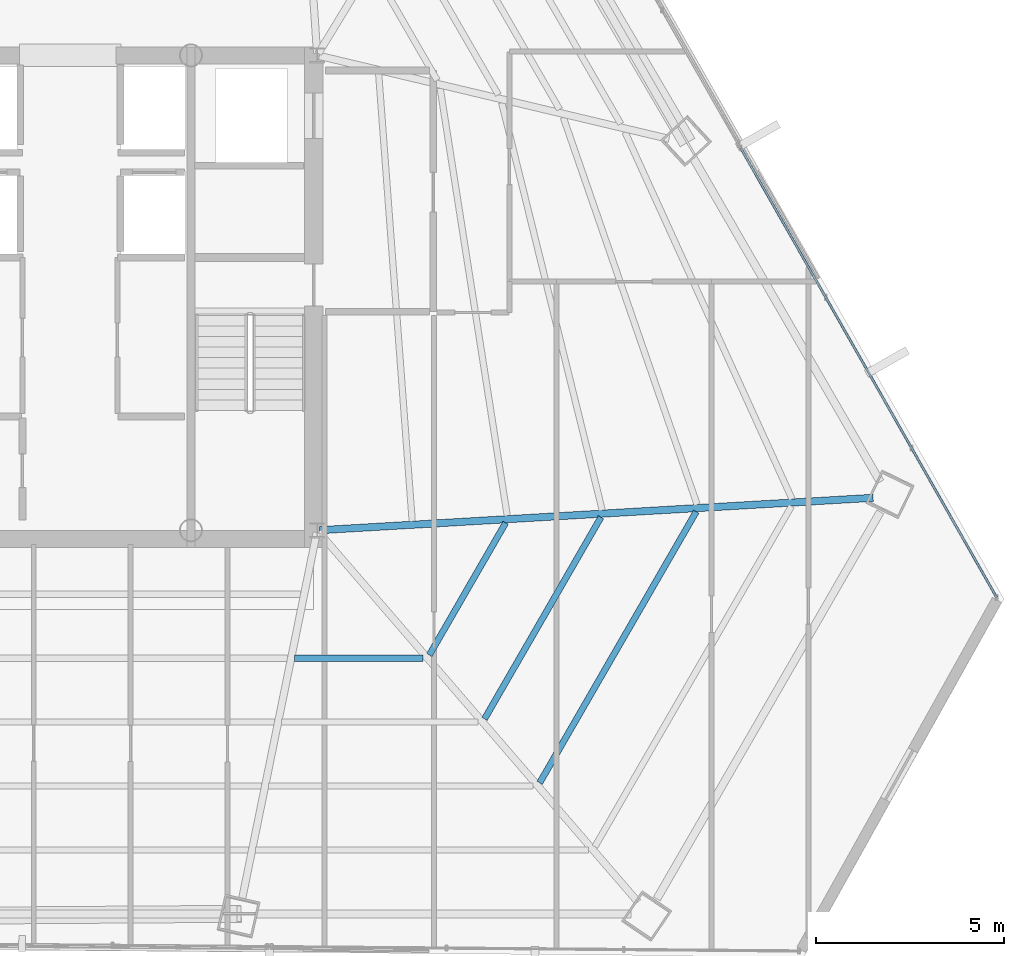
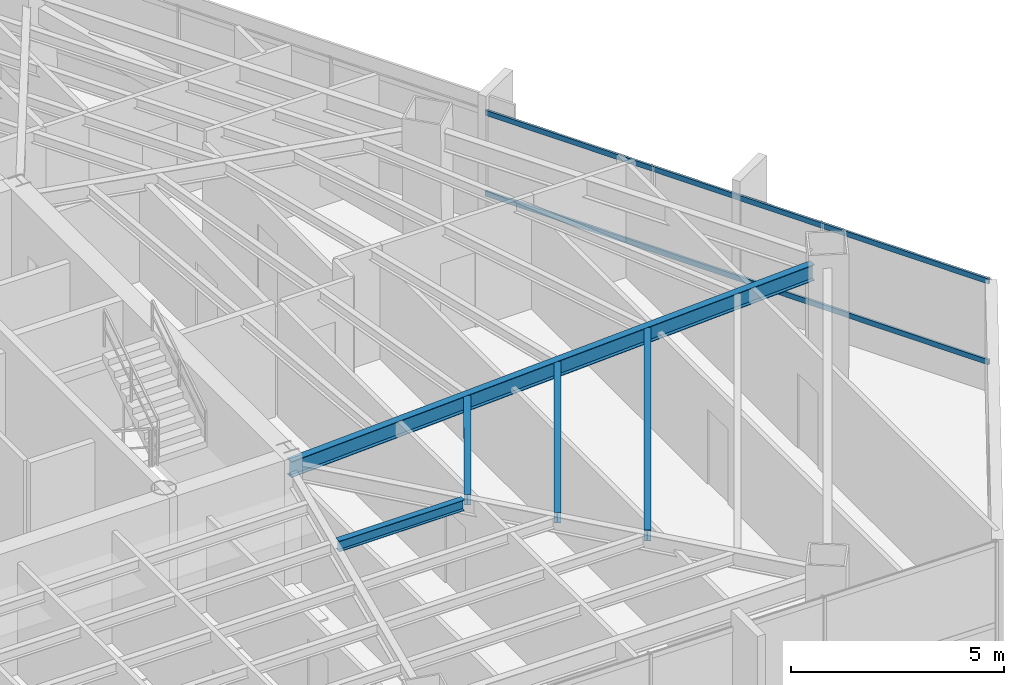
# One storey, part 20 of 40: 5 beams, 2 members, 1 element without a shape of its own.
"""IFC4 building model written with IfcOpenShell, lengths in metres."""

from ifc_helpers import new_model, si_unit, direction, frame, origin, origin_2d, place, context, subcontext, project, spatial, hollow_rectangle, i_section, extrude, source, transform, mapped, material, material_profile, profile_set, type_object, type_shapes, element, aggregate, save


model = new_model("IFC4")

# Units and contexts
model_context = context("Model", 3, precision=1e-05, world=origin(), true_north=direction((0.0, 1.0)))
body_context = subcontext(model_context, "Body", "Model", "MODEL_VIEW")
ifc_project = project(units=[si_unit("LENGTHUNIT", "METRE"), si_unit("AREAUNIT", "SQUARE_METRE"), si_unit("VOLUMEUNIT", "CUBIC_METRE"), si_unit("PLANEANGLEUNIT", "RADIAN"), si_unit("MASSUNIT", "GRAM", prefix="KILO")], contexts=[model_context])

# Site, building, storey
site_placement = place(None, origin())
site = spatial("IfcSite", under=ifc_project, at=site_placement, CompositionType="ELEMENT")
building_placement = place(site_placement, origin())
building = spatial("IfcBuilding", under=site, at=building_placement, Name="Caelisora Broadcast Tower", CompositionType="ELEMENT")
storey_placement = place(building_placement, frame((0.0, 0.0, 146.39990234375)))
storey = spatial("IfcBuildingStorey", under=building, at=storey_placement, Name="L38", CompositionType="ELEMENT", Elevation=146.39990234375)

# Beams
ifc_material_1 = material(Name="Steel Grade 350 (AS/NZS 3679.1)", Category="steel")
ifc_material_profile_1 = material_profile(ifc_material_1, i_section(OverallWidth=0.19091796875, OverallDepth=0.46044921875, WebThickness=0.010009765625, FlangeThickness=0.01611328125, at=origin_2d()), Name="Steel Grade 350 (AS/NZS 3679.1)")
ifc_profile_set_1 = profile_set([ifc_material_profile_1], Name="Steel Grade 350 (AS/NZS 3679.1)")
beam_type_1 = type_object("IfcBeamType", Name="PG06", PredefinedType="BEAM", material=ifc_profile_set_1)
shared_shape_1 = source(origin(), body_context, "Body", "SweptSolid", [
    extrude(i_section(OverallWidth=0.19091796875, OverallDepth=0.46044921875, WebThickness=0.010009765625, FlangeThickness=0.01611328125, at=origin_2d()), origin(), (0.0, 0.0, 1.0), 14.714111328125),
])
type_shapes(beam_type_1, [shared_shape_1])
beam_1_placement = place(storey_placement, frame((45.559814453125, 17.403564453125, 3.02001953125), z_axis=(0.998293942145, 0.058388398471, 0.0), x_axis=(-0.058388398471, 0.998293942145, 0.0)))
element("IfcBeam", 1, at=beam_1_placement, inside=storey, type_object=beam_type_1, Name="L38 beam PG06", PredefinedType="BEAM", context=body_context, shape_type="MappedRepresentation", body=[
    mapped(shared_shape_1, transform((0.0, 0.0, 0.0), scale=1.0)),
])
ifc_material_profile_2 = material_profile(ifc_material_1, i_section(OverallWidth=0.166015625, OverallDepth=0.30712890625, WebThickness=0.006591796875, FlangeThickness=0.01171875, at=origin_2d()), Name="Steel Grade 350 (AS/NZS 3679.1)")
ifc_profile_set_2 = profile_set([ifc_material_profile_2], Name="Steel Grade 350 (AS/NZS 3679.1)")
beam_type_2 = type_object("IfcBeamType", Name="SB03", PredefinedType="JOIST", material=ifc_profile_set_2)
shared_shape_2 = source(origin(), body_context, "Body", "SweptSolid", [
    extrude(i_section(OverallWidth=0.166015625, OverallDepth=0.30712890625, WebThickness=0.006591796875, FlangeThickness=0.01171875, at=origin_2d()), origin(), (0.0, 0.0, 1.0), 4.048095703125),
])
beam_2_placement = place(storey_placement, frame((48.476318359375, 14.093505859375, 3.096435546875), z_axis=(0.499966081581, 0.866044985707, 0.0), x_axis=(-0.866044985707, 0.499966081581, 0.0)))
element("IfcBeam", 2, at=beam_2_placement, inside=storey, type_object=beam_type_2, Name="L38 beam SB03", PredefinedType="JOIST", context=body_context, shape_type="MappedRepresentation", body=[
    mapped(shared_shape_2, transform((0.0, 0.0, 0.0), scale=1.0)),
])
shared_shape_3 = source(origin(), body_context, "Body", "SweptSolid", [
    extrude(i_section(OverallWidth=0.166015625, OverallDepth=0.30712890625, WebThickness=0.006591796875, FlangeThickness=0.01171875, at=origin_2d()), origin(), (0.0, 0.0, 1.0), 6.17724609375),
])
beam_3_placement = place(storey_placement, frame((49.939697265625, 12.397705078125, 3.096435546875), z_axis=(0.50000299093, 0.866023676963, 0.0), x_axis=(-0.866023676963, 0.50000299093, 0.0)))
element("IfcBeam", 3, at=beam_3_placement, inside=storey, type_object=beam_type_2, Name="L38 beam SB03", PredefinedType="JOIST", context=body_context, shape_type="MappedRepresentation", body=[
    mapped(shared_shape_3, transform((0.0, 0.0, 0.0), scale=1.0)),
])
shared_shape_4 = source(origin(), body_context, "Body", "SweptSolid", [
    extrude(i_section(OverallWidth=0.166015625, OverallDepth=0.30712890625, WebThickness=0.006591796875, FlangeThickness=0.01171875, at=origin_2d()), origin(), (0.0, 0.0, 1.0), 8.305908203125),
])
beam_4_placement = place(storey_placement, frame((51.4033203125, 10.701904296875, 3.096435546875), z_axis=(0.500011662214, 0.866018670497, 0.0), x_axis=(-0.866018670497, 0.500011662214, 0.0)))
element("IfcBeam", 4, at=beam_4_placement, inside=storey, type_object=beam_type_2, Name="L38 beam SB03", PredefinedType="JOIST", context=body_context, shape_type="MappedRepresentation", body=[
    mapped(shared_shape_4, transform((0.0, 0.0, 0.0), scale=1.0)),
])
shared_shape_5 = source(origin(), body_context, "Body", "SweptSolid", [
    extrude(i_section(OverallWidth=0.166015625, OverallDepth=0.30712890625, WebThickness=0.006591796875, FlangeThickness=0.01171875, at=origin_2d()), origin(), (0.0, 0.0, 1.0), 3.400390625),
])
type_shapes(beam_type_2, [shared_shape_2, shared_shape_3, shared_shape_4, shared_shape_5])
beam_5_placement = place(storey_placement, frame((44.903564453125, 14.008544921875, 3.096435546875), z_axis=(1.0, 0.0, 0.0), x_axis=(0.0, 1.0, 0.0)))
element("IfcBeam", 5, at=beam_5_placement, inside=storey, type_object=beam_type_2, Name="L38 beam SB03", PredefinedType="JOIST", context=body_context, shape_type="MappedRepresentation", body=[
    mapped(shared_shape_5, transform((0.0, 0.0, 0.0), scale=1.0)),
])

# Curtain wall, members
ifc_material_2 = material(Name="Unitised Aluminium and Low-E Glass Curtain Wall", Category="glass")
curtain_wall_type = type_object("IfcCurtainWallType", Name="CW-Z3", PredefinedType="NOTDEFINED", material=ifc_material_2)
curtain_wall_placement = place(storey_placement, origin())
curtain_wall = element("IfcCurtainWall", 6, at=curtain_wall_placement, inside=storey, type_object=curtain_wall_type, Name="L38 curtain wall CW-Z3", PredefinedType="NOTDEFINED")
ifc_material_3 = material(Name="Aluminium 6063-T6 Anodised Terracotta Bronze", Category="aluminium")
ifc_material_profile_3 = material_profile(ifc_material_3, hollow_rectangle(XDim=0.06005859375, YDim=0.14990234375, WallThickness=0.00341796875, at=origin_2d()), Name="Aluminium 6063-T6 Anodised Terracotta Bronze")
ifc_profile_set_3 = profile_set([ifc_material_profile_3], Name="Aluminium 6063-T6 Anodised Terracotta Bronze")
member_type = type_object("IfcMemberType", Name="CWT-02", PredefinedType="USERDEFINED", material=ifc_profile_set_3)
shared_shape_6 = source(origin(), body_context, "Body", "SweptSolid", [
    extrude(hollow_rectangle(XDim=0.06005859375, YDim=0.14990234375, WallThickness=0.00341796875, at=origin_2d()), origin(), (0.0, 0.0, 1.0), 13.72021484375),
])
type_shapes(member_type, [shared_shape_6])
member_1_placement = place(storey_placement, frame((56.734130859375, 27.54443359375, 0.85009765625), z_axis=(0.494910094502, -0.868944185986, 0.0), x_axis=(0.868944185986, 0.494910094502, 0.0)))
member_1 = element("IfcMember", 7, at=member_1_placement, type_object=member_type, Name="L38-CW-B03 transom #1", ObjectType="TRANSOM", PredefinedType="USERDEFINED", context=body_context, shape_type="MappedRepresentation", body=[
    mapped(shared_shape_6, transform((0.0, 0.0, 0.0), scale=1.0)),
])
member_2_placement = place(storey_placement, frame((56.734130859375, 27.54443359375, 3.170166015625), z_axis=(0.494910094502, -0.868944185986, 0.0), x_axis=(0.868944185986, 0.494910094502, 0.0)))
member_2 = element("IfcMember", 8, at=member_2_placement, type_object=member_type, Name="L38-CW-B03 transom #2", ObjectType="TRANSOM", PredefinedType="USERDEFINED", context=body_context, shape_type="MappedRepresentation", body=[
    mapped(shared_shape_6, transform((0.0, 0.0, 0.0), scale=1.0)),
])
aggregate(curtain_wall, [member_1, member_2])

save(model, "model.ifc")
